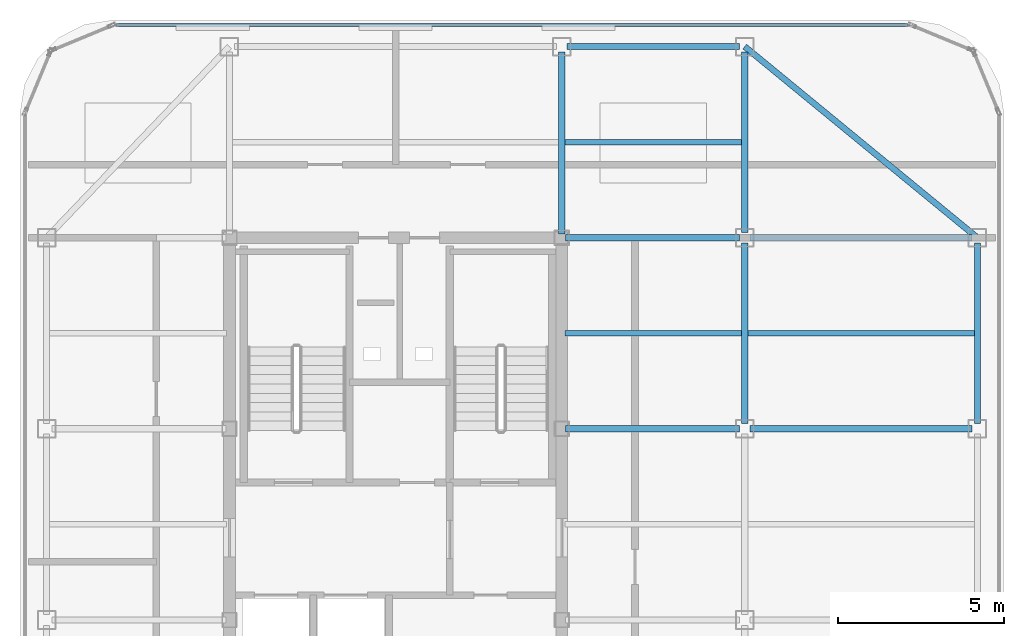
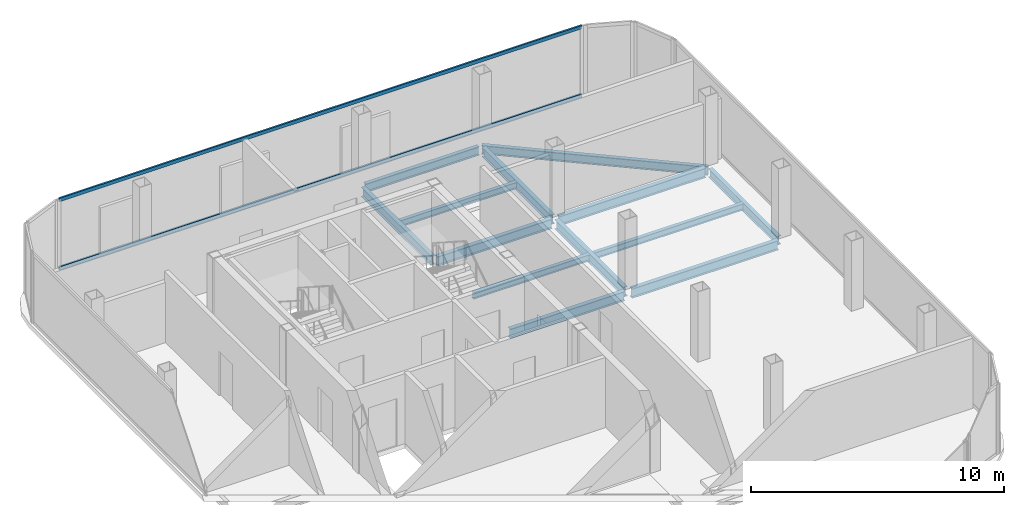
# One storey, part 7 of 11: 13 beams, 2 members, 1 element without a shape of its own.
"""IFC4 building model written with IfcOpenShell, lengths in metres."""

import ifcopenshell
import ifcopenshell.guid

model = None  # the IFC model being written
_history = None  # IfcOwnerHistory: only IFC2X3 demands one
_inside = {}  # id of a spatial element -> (the spatial element, [elements in it])
_under = {}  # id of a project, library or spatial element -> (it, [spatial elements below it])
_declared = {}  # id of a project -> (the project, [libraries it declares])
_typed = {}  # id of a type object -> (the type object, [elements of that type])
_made_of = {}  # id of a material, layer set ... -> (it, [elements and type objects made of it])


def new_model(schema):
    """Start an empty IFC model of exactly this schema.

    Asked for "IFC4X3", IfcOpenShell would pick the latest addendum, in which some entities
    have other attributes; the version numbers below select the first issue.
    IFC2X3 requires an IfcOwnerHistory on every rooted entity: one is made here for all.
    """
    global model, _history
    if schema == "IFC4X3":
        model = ifcopenshell.file(schema_version=(4, 3, 0, 0))
    else:
        model = ifcopenshell.file(schema=schema)
    _inside.clear()
    _under.clear()
    _declared.clear()
    _typed.clear()
    _made_of.clear()
    _history = None
    if model.schema == "IFC2X3":
        org = make("IfcOrganization", Name="unknown")
        user = make(
            "IfcPersonAndOrganization",
            ThePerson=make("IfcPerson", FamilyName="unknown"),
            TheOrganization=org,
        )
        app = make(
            "IfcApplication",
            ApplicationDeveloper=org,
            Version="unknown",
            ApplicationFullName="unknown",
            ApplicationIdentifier="unknown",
        )
        _history = make(
            "IfcOwnerHistory",
            OwningUser=user,
            OwningApplication=app,
            ChangeAction="ADDED",
            CreationDate=0,
        )
    return model


def make(cls, **values):
    """One entity of the class cls with the attributes given. An attribute that is None is left unset."""
    return model.create_entity(
        cls, **{name: value for name, value in values.items() if value is not None}
    )


def rooted(cls, **values):
    """An entity with a GlobalId (a new one), such as an element, a storey or a relation."""
    return make(cls, GlobalId=ifcopenshell.guid.new(), OwnerHistory=_history, **values)


def si_unit(unit_type, name, prefix=None):
    """IfcSIUnit, for example si_unit("LENGTHUNIT", "METRE", prefix="MILLI")."""
    return make("IfcSIUnit", UnitType=unit_type, Prefix=prefix, Name=name)


def assignment(units):
    """IfcUnitAssignment: the units of a project."""
    return None if units is None else make("IfcUnitAssignment", Units=units)


def point(xyz):
    """IfcCartesianPoint."""
    return None if xyz is None else make("IfcCartesianPoint", Coordinates=xyz)


def direction(xyz):
    """IfcDirection."""
    return None if xyz is None else make("IfcDirection", DirectionRatios=xyz)


def frame(location, z_axis=None, x_axis=None):
    """IfcAxis2Placement3D, a coordinate frame: its origin and axes. An axis left out is left unset."""
    return make(
        "IfcAxis2Placement3D",
        Location=point(location),
        Axis=direction(z_axis),
        RefDirection=direction(x_axis),
    )


def frame_2d(location, x_axis=None):
    """IfcAxis2Placement2D, a coordinate frame in the plane: its origin and x axis."""
    return make(
        "IfcAxis2Placement2D", Location=point(location), RefDirection=direction(x_axis)
    )


def origin():
    """The frame at (0, 0, 0) with its axes left unset."""
    return frame((0.0, 0.0, 0.0))


def origin_2d():
    """The frame at (0, 0) in the plane with its x axis left unset."""
    return frame_2d((0.0, 0.0))


def place(relative_to, where):
    """IfcLocalPlacement: puts the frame where relative to a parent placement (None: the world)."""
    return make(
        "IfcLocalPlacement", PlacementRelTo=relative_to, RelativePlacement=where
    )


def context(
    kind, dimensions, precision=None, world=None, true_north=None, identifier=None
):
    """IfcGeometricRepresentationContext, for example the 3D "Model" context."""
    return make(
        "IfcGeometricRepresentationContext",
        ContextIdentifier=identifier,
        ContextType=kind,
        CoordinateSpaceDimension=dimensions,
        Precision=precision,
        WorldCoordinateSystem=world,
        TrueNorth=true_north,
    )


def subcontext(parent, identifier, kind, view, scale=None):
    """IfcGeometricRepresentationSubContext, for example "Body" below "Model"."""
    return make(
        "IfcGeometricRepresentationSubContext",
        ContextIdentifier=identifier,
        ContextType=kind,
        ParentContext=parent,
        TargetScale=scale,
        TargetView=view,
    )


def project(units=None, contexts=None):
    """IfcProject with its units and contexts."""
    return rooted(
        "IfcProject",
        Name="project",
        RepresentationContexts=contexts,
        UnitsInContext=assignment(units),
    )


def spatial(cls, under=None, at=None, **own):
    """A site, building, storey or space (cls), placed at a placement, below another one or the project."""
    s = rooted(cls, ObjectPlacement=at, **own)
    if under is not None:
        _under.setdefault(under.id(), (under, []))[1].append(s)
    return s


def profile(cls, at=None, kind="AREA", **sizes):
    """A parametric profile (cls). Its sizes go by their IFC names, for example OverallWidth=200.0."""
    return make(cls, ProfileType=kind, Position=at, **sizes)


def hollow_rectangle(**sizes):
    """IfcRectangleHollowProfileDef."""
    return profile("IfcRectangleHollowProfileDef", **sizes)


def i_section(**sizes):
    """IfcIShapeProfileDef."""
    return profile("IfcIShapeProfileDef", **sizes)


def extrude(swept, where, along, depth):
    """IfcExtrudedAreaSolid: the profile swept, set in the frame where, extruded along a direction by depth."""
    return make(
        "IfcExtrudedAreaSolid",
        SweptArea=swept,
        Position=where,
        ExtrudedDirection=direction(along),
        Depth=depth,
    )


def shape(context_of_items, identifier, shape_type, items):
    """IfcShapeRepresentation: the items that make up one representation, for example the "Body"."""
    return make(
        "IfcShapeRepresentation",
        ContextOfItems=context_of_items,
        RepresentationIdentifier=identifier,
        RepresentationType=shape_type,
        Items=items,
    )


def source(mapping_origin, context_of_items, identifier, shape_type, items):
    """IfcRepresentationMap: a shape defined once, which mapped items show again and again."""
    return make(
        "IfcRepresentationMap",
        MappingOrigin=mapping_origin,
        MappedRepresentation=shape(context_of_items, identifier, shape_type, items),
    )


def transform(
    local_origin,
    x_axis=None,
    y_axis=None,
    z_axis=None,
    scale=None,
    scale2=None,
    scale3=None,
    uniform=True,
):
    """IfcCartesianTransformationOperator3D, or its non-uniform kind. x_axis, y_axis, z_axis: its Axis1, 2, 3."""
    if uniform:
        return make(
            "IfcCartesianTransformationOperator3D",
            Axis1=direction(x_axis),
            Axis2=direction(y_axis),
            LocalOrigin=point(local_origin),
            Scale=scale,
            Axis3=direction(z_axis),
        )
    return make(
        "IfcCartesianTransformationOperator3DnonUniform",
        Axis1=direction(x_axis),
        Axis2=direction(y_axis),
        LocalOrigin=point(local_origin),
        Scale=scale,
        Axis3=direction(z_axis),
        Scale2=scale2,
        Scale3=scale3,
    )


def mapped(mapping_source, mapping_target):
    """IfcMappedItem: shows the shape of a source again, moved by a transform."""
    return make(
        "IfcMappedItem", MappingSource=mapping_source, MappingTarget=mapping_target
    )


def material(Name=None, Category=None):
    """IfcMaterial."""
    return make("IfcMaterial", Name=Name, Category=Category)


def layer(
    of_material, thickness, ventilated=None, Name=None, Category=None, Priority=None
):
    """IfcMaterialLayer: one layer of a wall or slab, of a material (None: an air gap)."""
    return make(
        "IfcMaterialLayer",
        Material=of_material,
        LayerThickness=thickness,
        IsVentilated=ventilated,
        Name=Name,
        Category=Category,
        Priority=Priority,
    )


def layer_set(layers, Name=None):
    """IfcMaterialLayerSet."""
    return make("IfcMaterialLayerSet", MaterialLayers=layers, LayerSetName=Name)


def material_profile(
    of_material, cross_section, Name=None, Category=None, Priority=None
):
    """IfcMaterialProfile: a cross section and its material."""
    return make(
        "IfcMaterialProfile",
        Name=Name,
        Material=of_material,
        Profile=cross_section,
        Priority=Priority,
        Category=Category,
    )


def profile_set(profiles, Name=None, composite=None):
    """IfcMaterialProfileSet."""
    return make(
        "IfcMaterialProfileSet",
        Name=Name,
        MaterialProfiles=profiles,
        CompositeProfile=composite,
    )


def made_of(thing, what):
    """Note that an element or type object is made of a material, layer set ...; save() writes the relation."""
    if what is not None:
        _made_of.setdefault(what.id(), (what, []))[1].append(thing)
    return thing


def type_object(cls, material=None, **own):
    """A type object (cls), such as IfcWallType, which elements share."""
    return made_of(rooted(cls, **own), material)


def element(
    cls,
    number,
    at=None,
    inside=None,
    cuts=None,
    type_object=None,
    material=None,
    context=None,
    identifier="Body",
    shape_type=None,
    held_by="IfcProductDefinitionShape",
    body=None,
    shapes=None,
    **own,
):
    """One element of the class cls, such as IfcWall. Its Tag is "e" and its number.

    at: its placement. inside: the storey or other place that contains it. cuts: it is an
    opening in that element (IfcRelVoidsElement). A single representation is given by context,
    identifier, shape_type and body (its items); several are given by shapes. held_by: the class
    of the entity that holds the representations. save() writes the other relations.
    """
    e = rooted(cls, Tag="e%d" % number, ObjectPlacement=at, **own)
    if body is not None:
        shapes = [shape(context, identifier, shape_type, body)]
    if shapes is not None:
        e.Representation = make(held_by, Representations=shapes)
    if inside is not None:
        _inside.setdefault(inside.id(), (inside, []))[1].append(e)
    if cuts is not None:
        rooted(
            "IfcRelVoidsElement", RelatingBuildingElement=cuts, RelatedOpeningElement=e
        )
    if type_object is not None:
        _typed.setdefault(type_object.id(), (type_object, []))[1].append(e)
    return made_of(e, material)


def aggregate(whole, parts):
    """IfcRelAggregates: a whole, such as a stair, and the parts it consists of."""
    return rooted("IfcRelAggregates", RelatingObject=whole, RelatedObjects=parts)


def save(model, path):
    """Write the relations noted so far, then the file.

    IfcRelAggregates (storeys below a building ...), IfcRelContainedInSpatialStructure (elements
    in a storey), IfcRelDefinesByType, IfcRelAssociatesMaterial and IfcRelDeclares: one each for
    every whole, place, type object, material and project.
    """
    for whole, parts in _under.values():
        aggregate(whole, parts)
    for where, things in _inside.values():
        rooted(
            "IfcRelContainedInSpatialStructure",
            RelatedElements=things,
            RelatingStructure=where,
        )
    for kind, things in _typed.values():
        rooted("IfcRelDefinesByType", RelatedObjects=things, RelatingType=kind)
    for what, things in _made_of.values():
        rooted("IfcRelAssociatesMaterial", RelatedObjects=things, RelatingMaterial=what)
    for by, libraries in _declared.values():
        rooted("IfcRelDeclares", RelatingContext=by, RelatedDefinitions=libraries)
    model.write(path)


model = new_model("IFC4")

# Units and contexts
model_context = context("Model", 3, precision=1e-05, world=origin(), true_north=direction((0.0, 1.0)))
body_context = subcontext(model_context, "Body", "Model", "MODEL_VIEW")
ifc_project = project(units=[si_unit("LENGTHUNIT", "METRE"), si_unit("AREAUNIT", "SQUARE_METRE"), si_unit("VOLUMEUNIT", "CUBIC_METRE"), si_unit("PLANEANGLEUNIT", "RADIAN"), si_unit("MASSUNIT", "GRAM", prefix="KILO")], contexts=[model_context])

# Site, building, storey
site_placement = place(None, origin())
site = spatial("IfcSite", under=ifc_project, at=site_placement, CompositionType="ELEMENT")
building_placement = place(site_placement, origin())
building = spatial("IfcBuilding", under=site, at=building_placement, Name="Kolveth Station Tower", CompositionType="ELEMENT")
storey_placement = place(building_placement, frame((0.0, 0.0, 282.10009765625)))
storey = spatial("IfcBuildingStorey", under=building, at=storey_placement, Name="L81", CompositionType="ELEMENT", Elevation=282.10009765625)

# Beams
ifc_material_1 = material(Name="Steel S355", Category="steel")
ifc_material_profile_1 = material_profile(ifc_material_1, i_section(OverallWidth=0.180908203125, OverallDepth=0.4169921875, WebThickness=0.010986328125, FlangeThickness=0.018310546875, at=origin_2d()), Name="W410x85")
ifc_profile_set_1 = profile_set([ifc_material_profile_1], Name="Steel S355")
beam_type_1 = type_object("IfcBeamType", Name="Beam_B8", PredefinedType="BEAM", material=ifc_profile_set_1)
shared_shape_1 = source(origin(), body_context, "Body", "SweptSolid", [
    extrude(i_section(OverallWidth=0.180908203125, OverallDepth=0.4169921875, WebThickness=0.010986328125, FlangeThickness=0.018310546875, at=origin_2d()), origin(), (0.0, 0.0, 1.0), 5.18017578125),
])
beam_1_placement = place(storey_placement, frame((28.659912109375, 34.5, -0.4287109375), z_axis=(1.0, 0.0, 0.0), x_axis=(0.0, 1.0, 0.0)))
element("IfcBeam", 1, at=beam_1_placement, inside=storey, type_object=beam_type_1, Name="L81 Perimeter Spandrel BM-L81-PN-2", PredefinedType="BEAM", context=body_context, shape_type="MappedRepresentation", body=[
    mapped(shared_shape_1, transform((0.0, 0.0, 0.0), x_axis=(1.0, 0.0, 0.0), y_axis=(0.0, 1.0, 0.0), z_axis=(0.0, 0.0, 1.0), scale=1.0)),
])
shared_shape_2 = source(origin(), body_context, "Body", "SweptSolid", [
    extrude(i_section(OverallWidth=0.180908203125, OverallDepth=0.4169921875, WebThickness=0.010986328125, FlangeThickness=0.018310546875, at=origin_2d()), origin(), (0.0, 0.0, 1.0), 5.43017578125),
])
beam_2_placement = place(storey_placement, frame((41.0, 23.159912109375, -0.4287109375), z_axis=(0.0, 1.0, 0.0), x_axis=(-1.0, 0.0, 0.0)))
element("IfcBeam", 2, at=beam_2_placement, inside=storey, type_object=beam_type_1, Name="L81 Perimeter Spandrel BM-L81-PE-3", PredefinedType="BEAM", context=body_context, shape_type="MappedRepresentation", body=[
    mapped(shared_shape_2, transform((0.0, 0.0, 0.0), x_axis=(1.0, 0.0, 0.0), y_axis=(0.0, 1.0, 0.0), z_axis=(0.0, 0.0, 1.0), scale=1.0)),
])
shared_shape_3 = source(origin(), body_context, "Body", "SweptSolid", [
    extrude(i_section(OverallWidth=0.180908203125, OverallDepth=0.4169921875, WebThickness=0.010986328125, FlangeThickness=0.018310546875, at=origin_2d()), origin(), (0.0, 0.0, 1.0), 9.058837890625),
])
beam_3_placement = place(storey_placement, frame((41.0, 28.75, -0.4287109375), z_axis=(-0.772726254525, 0.63473942336, 0.0), x_axis=(-0.63473942336, -0.772726254525, 0.0)))
element("IfcBeam", 3, at=beam_3_placement, inside=storey, type_object=beam_type_1, Name="L81 Corner Edge Girder BM-L81-CNR-NE", PredefinedType="BEAM", context=body_context, shape_type="MappedRepresentation", body=[
    mapped(shared_shape_3, transform((0.0, 0.0, 0.0), x_axis=(1.0, 0.0, 0.0), y_axis=(0.0, 1.0, 0.0), z_axis=(0.0, 0.0, 1.0), scale=1.0)),
])
ifc_material_profile_2 = material_profile(ifc_material_1, i_section(OverallWidth=0.19091796875, OverallDepth=0.4599609375, WebThickness=0.010009765625, FlangeThickness=0.01611328125, at=origin_2d()), Name="W460x82")
ifc_profile_set_2 = profile_set([ifc_material_profile_2], Name="Steel S355")
beam_type_2 = type_object("IfcBeamType", Name="Beam_B7", PredefinedType="BEAM", material=ifc_profile_set_2)
shared_shape_4 = source(origin(), body_context, "Body", "SweptSolid", [
    extrude(i_section(OverallWidth=0.19091796875, OverallDepth=0.4599609375, WebThickness=0.010009765625, FlangeThickness=0.01611328125, at=origin_2d()), origin(), (0.0, 0.0, 1.0), 6.68017578125),
])
for number, where, z_axis, x_axis, name in (
    (4, (34.159912109375, 23.0, -0.4501953125), (1.0, 0.0, 0.0), (0.0, 1.0, 0.0), "L81 Primary Girder BM-L81-GY230-4"),
    (5, (34.159912109375, 28.75, -0.4501953125), (1.0, 0.0, 0.0), (0.0, 1.0, 0.0), "L81 Primary Girder BM-L81-GY287-4"),
):
    element("IfcBeam", number, at=place(storey_placement, frame(where, z_axis=z_axis, x_axis=x_axis)), inside=storey, type_object=beam_type_2, Name=name, PredefinedType="BEAM", context=body_context, shape_type="MappedRepresentation", body=[
        mapped(shared_shape_4, transform((0.0, 0.0, 0.0), x_axis=(1.0, 0.0, 0.0), y_axis=(0.0, 1.0, 0.0), z_axis=(0.0, 0.0, 1.0), scale=1.0)),
    ])
shared_shape_5 = source(origin(), body_context, "Body", "SweptSolid", [
    extrude(i_section(OverallWidth=0.19091796875, OverallDepth=0.4599609375, WebThickness=0.010009765625, FlangeThickness=0.01611328125, at=origin_2d()), origin(), (0.0, 0.0, 1.0), 5.22998046875),
])
for number, where, z_axis, x_axis, name in (
    (6, (28.610107421875, 23.0, -0.4501953125), (1.0, 0.0, 0.0), (0.0, 1.0, 0.0), "L81 Primary Girder BM-L81-GY230-3"),
    (7, (28.610107421875, 28.75, -0.4501953125), (1.0, 0.0, 0.0), (0.0, 1.0, 0.0), "L81 Primary Girder BM-L81-GY287-3"),
):
    element("IfcBeam", number, at=place(storey_placement, frame(where, z_axis=z_axis, x_axis=x_axis)), inside=storey, type_object=beam_type_2, Name=name, PredefinedType="BEAM", context=body_context, shape_type="MappedRepresentation", body=[
        mapped(shared_shape_5, transform((0.0, 0.0, 0.0), x_axis=(1.0, 0.0, 0.0), y_axis=(0.0, 1.0, 0.0), z_axis=(0.0, 0.0, 1.0), scale=1.0)),
    ])
shared_shape_6 = source(origin(), body_context, "Body", "SweptSolid", [
    extrude(i_section(OverallWidth=0.19091796875, OverallDepth=0.4599609375, WebThickness=0.010009765625, FlangeThickness=0.01611328125, at=origin_2d()), origin(), (0.0, 0.0, 1.0), 5.43017578125),
])
for number, where, z_axis, x_axis, name in (
    (8, (34.0, 23.159912109375, -0.4501953125), (0.0, 1.0, 0.0), (-1.0, 0.0, 0.0), "L81 Primary Girder BM-L81-GX340-4"),
    (9, (34.0, 28.909912109375, -0.4501953125), (0.0, 1.0, 0.0), (-1.0, 0.0, 0.0), "L81 Primary Girder BM-L81-GX340-5"),
):
    element("IfcBeam", number, at=place(storey_placement, frame(where, z_axis=z_axis, x_axis=x_axis)), inside=storey, type_object=beam_type_2, Name=name, PredefinedType="BEAM", context=body_context, shape_type="MappedRepresentation", body=[
        mapped(shared_shape_6, transform((0.0, 0.0, 0.0), x_axis=(1.0, 0.0, 0.0), y_axis=(0.0, 1.0, 0.0), z_axis=(0.0, 0.0, 1.0), scale=1.0)),
    ])
shared_shape_7 = source(origin(), body_context, "Body", "SweptSolid", [
    extrude(i_section(OverallWidth=0.19091796875, OverallDepth=0.4599609375, WebThickness=0.010009765625, FlangeThickness=0.01611328125, at=origin_2d()), origin(), (0.0, 0.0, 1.0), 5.47998046875),
])
beam_4_placement = place(storey_placement, frame((28.5, 28.860107421875, -0.4501953125), z_axis=(0.0, 1.0, 0.0), x_axis=(-1.0, 0.0, 0.0)))
element("IfcBeam", 10, at=beam_4_placement, inside=storey, type_object=beam_type_2, Name="L81 Primary Girder BM-L81-GX285-5", PredefinedType="BEAM", context=body_context, shape_type="MappedRepresentation", body=[
    mapped(shared_shape_7, transform((0.0, 0.0, 0.0), x_axis=(1.0, 0.0, 0.0), y_axis=(0.0, 1.0, 0.0), z_axis=(0.0, 0.0, 1.0), scale=1.0)),
])
ifc_material_profile_3 = material_profile(ifc_material_1, i_section(OverallWidth=0.1650390625, OverallDepth=0.31005859375, WebThickness=0.005859375, FlangeThickness=0.009765625, at=origin_2d()), Name="W310x39")
ifc_profile_set_3 = profile_set([ifc_material_profile_3], Name="Steel S355")
beam_type_3 = type_object("IfcBeamType", Name="Beam_J3", PredefinedType="JOIST", material=ifc_profile_set_3)
shared_shape_8 = source(origin(), body_context, "Body", "SweptSolid", [
    extrude(i_section(OverallWidth=0.1650390625, OverallDepth=0.31005859375, WebThickness=0.005859375, FlangeThickness=0.009765625, at=origin_2d()), origin(), (0.0, 0.0, 1.0), 6.818115234375),
])
beam_5_placement = place(storey_placement, frame((34.093505859375, 25.875, -0.375), z_axis=(1.0, 0.0, 0.0), x_axis=(0.0, 1.0, 0.0)))
element("IfcBeam", 11, at=beam_5_placement, inside=storey, type_object=beam_type_3, Name="L81 Secondary Joist JST-L81-4-4", PredefinedType="JOIST", context=body_context, shape_type="MappedRepresentation", body=[
    mapped(shared_shape_8, transform((0.0, 0.0, 0.0), x_axis=(1.0, 0.0, 0.0), y_axis=(0.0, 1.0, 0.0), z_axis=(0.0, 0.0, 1.0), scale=1.0)),
])
shared_shape_9 = source(origin(), body_context, "Body", "SweptSolid", [
    extrude(i_section(OverallWidth=0.1650390625, OverallDepth=0.31005859375, WebThickness=0.005859375, FlangeThickness=0.009765625, at=origin_2d()), origin(), (0.0, 0.0, 1.0), 5.31298828125),
])
for number, where, z_axis, x_axis, name in (
    (12, (28.593505859375, 25.875, -0.375), (1.0, 0.0, 0.0), (0.0, 1.0, 0.0), "L81 Secondary Joist JST-L81-3-4"),
    (13, (28.593505859375, 31.625, -0.375), (1.0, 0.0, 0.0), (0.0, 1.0, 0.0), "L81 Secondary Joist JST-L81-3-5"),
):
    element("IfcBeam", number, at=place(storey_placement, frame(where, z_axis=z_axis, x_axis=x_axis)), inside=storey, type_object=beam_type_3, Name=name, PredefinedType="JOIST", context=body_context, shape_type="MappedRepresentation", body=[
        mapped(shared_shape_9, transform((0.0, 0.0, 0.0), x_axis=(1.0, 0.0, 0.0), y_axis=(0.0, 1.0, 0.0), z_axis=(0.0, 0.0, 1.0), scale=1.0)),
    ])

# Curtain wall, members
ifc_material_2 = material(Name="Black anodized aluminium 6063-T6 and dark crown glass", Category="aluminium")
ifc_layer = layer(ifc_material_2, 0.169921875)
ifc_layer_set = layer_set([ifc_layer], Name="Black anodized aluminium 6063-T6 and dark crown glass")
curtain_wall_type = type_object("IfcCurtainWallType", Name="CurtainWall_CW-CR", PredefinedType="NOTDEFINED", material=ifc_layer_set)
curtain_wall_placement = place(storey_placement, origin())
curtain_wall = element("IfcCurtainWall", 14, at=curtain_wall_placement, inside=storey, type_object=curtain_wall_type, Name="L81 Stepped Crown Curtain Wall 6", PredefinedType="NOTDEFINED")
ifc_material_3 = material(Name="Black anodized aluminium 6063-T6", Category="aluminium")
ifc_material_profile_4 = material_profile(ifc_material_3, hollow_rectangle(XDim=0.080078125, YDim=0.1650390625, WallThickness=0.0048828125, at=origin_2d()), Name="ALU-80x165x5")
ifc_profile_set_4 = profile_set([ifc_material_profile_4], Name="Black anodized aluminium 6063-T6")
member_type = type_object("IfcMemberType", Name="Transom_TR-CR", PredefinedType="USERDEFINED", material=ifc_profile_set_4)
shared_shape_10 = source(origin(), body_context, "Body", "SweptSolid", [
    extrude(hollow_rectangle(XDim=0.080078125, YDim=0.1650390625, WallThickness=0.0048828125, at=origin_2d()), origin(), (0.0, 0.0, 1.0), 23.830078125),
])
member_1_placement = place(storey_placement, frame((38.9150390625, 35.14990234375, 0.039794921875), z_axis=(-1.0, 0.0, 0.0), x_axis=(0.0, -1.0, 0.0)))
member_1 = element("IfcMember", 15, at=member_1_placement, type_object=member_type, Name="CW-CR transom 1.1", ObjectType="TRANSOM", PredefinedType="USERDEFINED", context=body_context, shape_type="MappedRepresentation", body=[
    mapped(shared_shape_10, transform((0.0, 0.0, 0.0), x_axis=(1.0, 0.0, 0.0), y_axis=(0.0, 1.0, 0.0), z_axis=(0.0, 0.0, 1.0), scale=1.0)),
])
member_2_placement = place(storey_placement, frame((38.9150390625, 35.14990234375, 3.33984375), z_axis=(-1.0, 0.0, 0.0), x_axis=(0.0, -1.0, 0.0)))
member_2 = element("IfcMember", 16, at=member_2_placement, type_object=member_type, Name="CW-CR transom 1.2", ObjectType="TRANSOM", PredefinedType="USERDEFINED", context=body_context, shape_type="MappedRepresentation", body=[
    mapped(shared_shape_10, transform((0.0, 0.0, 0.0), x_axis=(1.0, 0.0, 0.0), y_axis=(0.0, 1.0, 0.0), z_axis=(0.0, 0.0, 1.0), scale=1.0)),
])
aggregate(curtain_wall, [member_1, member_2])

save(model, "model.ifc")
